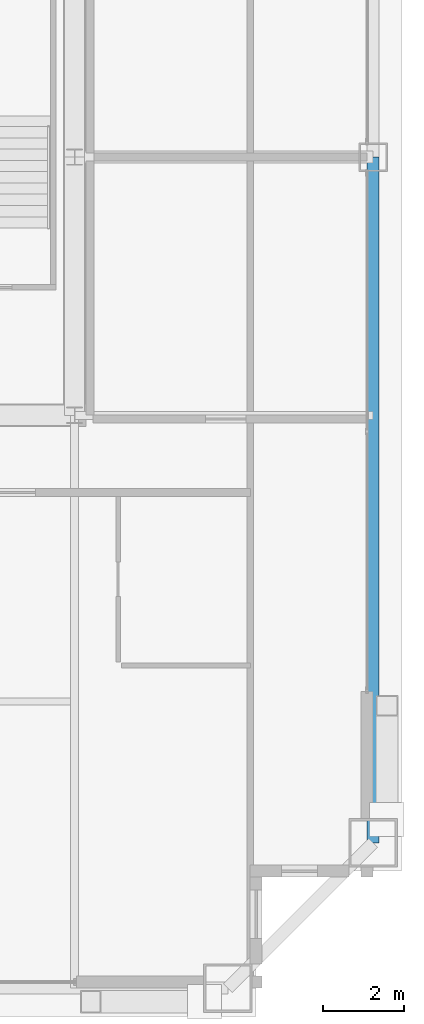
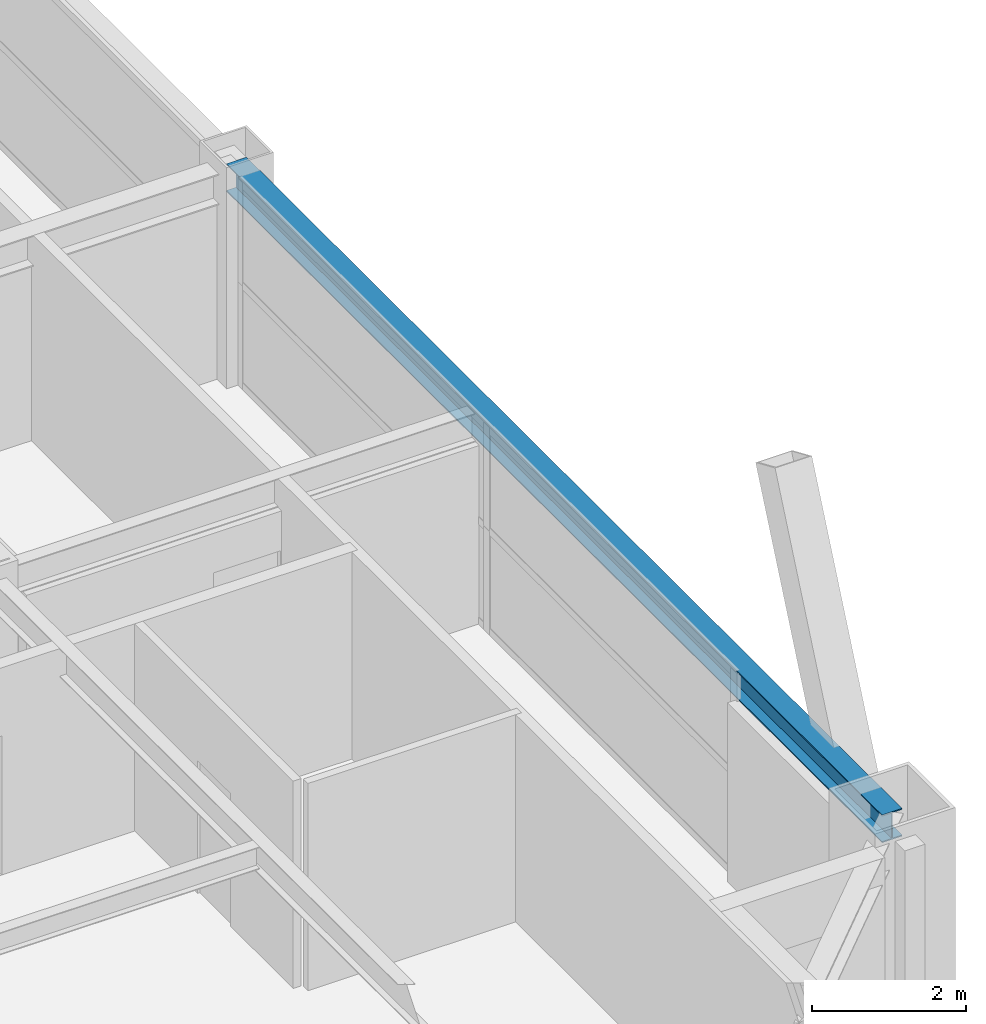
# One storey, part 15 of 33: 1 beam.
"""IFC4 building model written with IfcOpenShell, lengths in metres."""

from ifc_helpers import new_model, si_unit, direction, frame, origin, origin_2d, place, context, subcontext, project, spatial, i_section, extrude, source, transform, mapped, material, material_profile, profile_set, type_object, element, save


model = new_model("IFC4")

# Units and contexts
model_context = context("Model", 3, precision=1e-05, world=origin(), true_north=direction((0.0, 1.0)))
body_context = subcontext(model_context, "Body", "Model", "MODEL_VIEW")
ifc_project = project(units=[si_unit("LENGTHUNIT", "METRE"), si_unit("AREAUNIT", "SQUARE_METRE"), si_unit("VOLUMEUNIT", "CUBIC_METRE"), si_unit("PLANEANGLEUNIT", "RADIAN"), si_unit("MASSUNIT", "GRAM", prefix="KILO"), si_unit("THERMODYNAMICTEMPERATUREUNIT", "KELVIN"), si_unit("POWERUNIT", "WATT")], contexts=[model_context])

# Site, building, storey
site_placement = place(None, origin())
site = spatial("IfcSite", under=ifc_project, at=site_placement, CompositionType="ELEMENT")
building_placement = place(site_placement, origin())
building = spatial("IfcBuilding", under=site, at=building_placement, Name="Yuzanri Waterfront Tower", CompositionType="ELEMENT")
storey_placement = place(building_placement, frame((0.0, 0.0, 234.60009765625)))
storey = spatial("IfcBuildingStorey", under=building, at=storey_placement, Name="L62", CompositionType="ELEMENT", Elevation=234.60009765625)

# Beam
ifc_material = material(Name="Steel Q355B", Category="steel")
ifc_material_profile = material_profile(ifc_material, i_section(OverallWidth=0.300048828125, OverallDepth=0.43994140625, WebThickness=0.010986328125, FlangeThickness=0.01806640625, at=origin_2d()), Name="HM 440x300x11x18")
ifc_profile_set = profile_set([ifc_material_profile], Name="Steel Q355B")
beam_type = type_object("IfcBeamType", Name="Perimeter Spandrel Q355B HM 440x300", PredefinedType="SPANDREL", material=ifc_profile_set)
shared_shape = source(origin(), body_context, "Body", "SweptSolid", [
    extrude(i_section(OverallWidth=0.300048828125, OverallDepth=0.43994140625, WebThickness=0.010986328125, FlangeThickness=0.01806640625, at=origin_2d()), origin(), (0.0, 0.0, 1.0), 17.0),
])
beam_placement = place(storey_placement, frame((57.60009765625, 8.800048828125, 3.059814453125), z_axis=(0.0, 1.0, 0.0), x_axis=(-1.0, 0.0, 0.0)))
element("IfcBeam", 1, at=beam_placement, inside=storey, type_object=beam_type, Name="L62 Perimeter Spandrel E1-E2", PredefinedType="SPANDREL", context=body_context, shape_type="MappedRepresentation", body=[
    mapped(shared_shape, transform((0.0, 0.0, 0.0), scale=1.0)),
])

save(model, "model.ifc")
